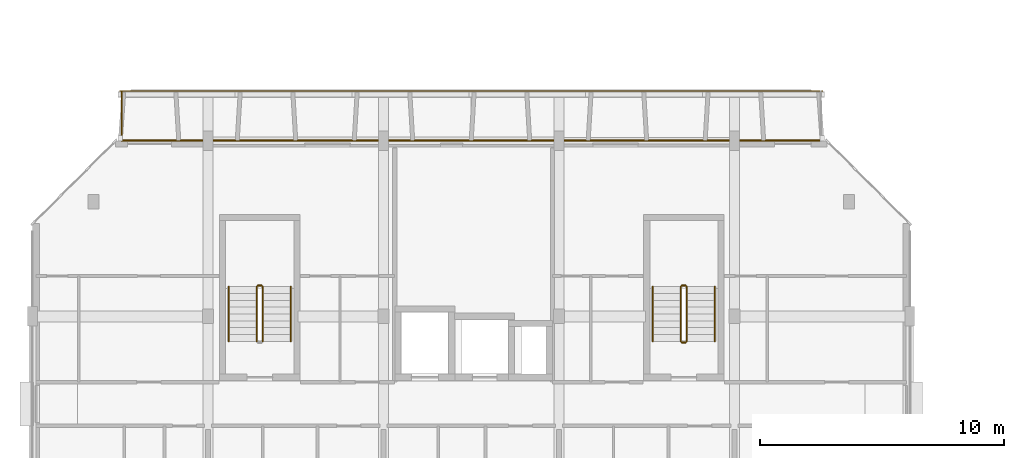
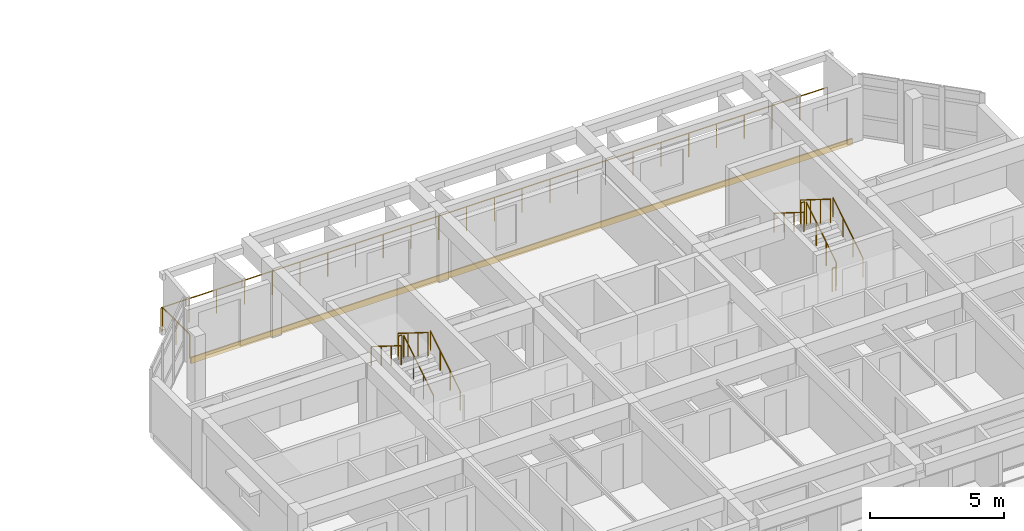
# One storey, part 38 of 46: 13 railings, 1 covering.
"""IFC4 building model written with IfcOpenShell, lengths in metres."""

from ifc_helpers import new_model, si_unit, direction, frame, origin, origin_2d, place, context, subcontext, project, spatial, rectangle, circle, extrude, material, layer, layer_set, type_object, element, save


model = new_model("IFC4")

# Units and contexts
model_context = context("Model", 3, precision=1e-05, world=origin(), true_north=direction((0.0, 1.0)))
body_context = subcontext(model_context, "Body", "Model", "MODEL_VIEW")
ifc_project = project(units=[si_unit("LENGTHUNIT", "METRE"), si_unit("AREAUNIT", "SQUARE_METRE"), si_unit("VOLUMEUNIT", "CUBIC_METRE"), si_unit("PLANEANGLEUNIT", "RADIAN"), si_unit("MASSUNIT", "GRAM", prefix="KILO")], contexts=[model_context])

# Site, building, storey
site_placement = place(None, origin())
site = spatial("IfcSite", under=ifc_project, at=site_placement, CompositionType="ELEMENT")
building_placement = place(site_placement, origin())
building = spatial("IfcBuilding", under=site, at=building_placement, Name="Ochrevale Crest", CompositionType="ELEMENT")
storey_placement = place(building_placement, frame((0.0, 0.0, 24.449951171875)))
storey = spatial("IfcBuildingStorey", under=building, at=storey_placement, Name="L07", CompositionType="ELEMENT", Elevation=24.449951171875)

# Covering
ifc_material_1 = material(Name="Glazed terracotta rainscreen tile", Category="masonry")
ifc_layer = layer(ifc_material_1, 0.048095703125)
ifc_layer_set = layer_set([ifc_layer], Name="Glazed terracotta rainscreen tile")
covering_type = type_object("IfcCoveringType", Name="COV-CLAD-TER", PredefinedType="CLADDING", material=ifc_layer_set)
covering_placement = place(storey_placement, frame((18.0, 36.012451171875, -0.259765625), z_axis=(0.0, 0.0, 1.0), x_axis=(-1.0, 0.0, 0.0)))
element("IfcCovering", 1, at=covering_placement, inside=storey, type_object=covering_type, Name="Block A L07 terracotta slab-edge spandrel cladding", PredefinedType="CLADDING", context=body_context, shape_type="SweptSolid", body=[
    extrude(rectangle(XDim=28.60009765625, YDim=0.06005859375, at=origin_2d()), origin(), (0.0, 0.0, 1.0), 0.280029296875),
])

# Railings
ifc_material_2 = material(Name="Galvanised steel", Category="steel")
railing_type_1 = type_object("IfcRailingType", Name="RL-BAL-1100", PredefinedType="BALUSTRADE", material=ifc_material_2)
railing_1_placement = place(storey_placement, frame((3.60009765625, 38.0400390625, 0.0)))
element("IfcRailing", 2, at=railing_1_placement, inside=storey, type_object=railing_type_1, Name="Block A L07 N balcony front balustrade", PredefinedType="BALUSTRADE", context=body_context, shape_type="SweptSolid", body=[
    extrude(circle(Radius=0.02392578125, at=origin_2d()), frame((0.0, 0.0, 1.0859375), z_axis=(1.0, 0.0, 0.0), x_axis=(0.0, 1.0, 0.0)), (0.0, 0.0, 1.0), 28.7998046875),
    extrude(circle(Radius=0.02099609375, at=origin_2d()), origin(), (0.0, 0.0, 1.0), 1.06201171875),
    extrude(circle(Radius=0.02099609375, at=origin_2d()), frame((1.199951171875, 0.0, 0.0)), (0.0, 0.0, 1.0), 1.06201171875),
    extrude(circle(Radius=0.02099609375, at=origin_2d()), frame((2.39990234375, 0.0, 0.0)), (0.0, 0.0, 1.0), 1.06201171875),
    extrude(circle(Radius=0.02099609375, at=origin_2d()), frame((3.60009765625, 0.0, 0.0)), (0.0, 0.0, 1.0), 1.06201171875),
    extrude(circle(Radius=0.02099609375, at=origin_2d()), frame((4.800048828125, 0.0, 0.0)), (0.0, 0.0, 1.0), 1.06201171875),
    extrude(circle(Radius=0.02099609375, at=origin_2d()), frame((6.0, 0.0, 0.0)), (0.0, 0.0, 1.0), 1.06201171875),
    extrude(circle(Radius=0.02099609375, at=origin_2d()), frame((7.199951171875, 0.0, 0.0)), (0.0, 0.0, 1.0), 1.06201171875),
    extrude(circle(Radius=0.02099609375, at=origin_2d()), frame((8.39990234375, 0.0, 0.0)), (0.0, 0.0, 1.0), 1.06201171875),
    extrude(circle(Radius=0.02099609375, at=origin_2d()), frame((9.599853515625, 0.0, 0.0)), (0.0, 0.0, 1.0), 1.06201171875),
    extrude(circle(Radius=0.02099609375, at=origin_2d()), frame((10.7998046875, 0.0, 0.0)), (0.0, 0.0, 1.0), 1.06201171875),
    extrude(circle(Radius=0.02099609375, at=origin_2d()), frame((12.0, 0.0, 0.0)), (0.0, 0.0, 1.0), 1.06201171875),
    extrude(circle(Radius=0.02099609375, at=origin_2d()), frame((13.199951171875, 0.0, 0.0)), (0.0, 0.0, 1.0), 1.06201171875),
    extrude(circle(Radius=0.02099609375, at=origin_2d()), frame((14.39990234375, 0.0, 0.0)), (0.0, 0.0, 1.0), 1.06201171875),
    extrude(circle(Radius=0.02099609375, at=origin_2d()), frame((15.599853515625, 0.0, 0.0)), (0.0, 0.0, 1.0), 1.06201171875),
    extrude(circle(Radius=0.02099609375, at=origin_2d()), frame((16.7998046875, 0.0, 0.0)), (0.0, 0.0, 1.0), 1.06201171875),
    extrude(circle(Radius=0.02099609375, at=origin_2d()), frame((18.0, 0.0, 0.0)), (0.0, 0.0, 1.0), 1.06201171875),
    extrude(circle(Radius=0.02099609375, at=origin_2d()), frame((19.199951171875, 0.0, 0.0)), (0.0, 0.0, 1.0), 1.06201171875),
    extrude(circle(Radius=0.02099609375, at=origin_2d()), frame((20.39990234375, 0.0, 0.0)), (0.0, 0.0, 1.0), 1.06201171875),
    extrude(circle(Radius=0.02099609375, at=origin_2d()), frame((21.599853515625, 0.0, 0.0)), (0.0, 0.0, 1.0), 1.06201171875),
    extrude(circle(Radius=0.02099609375, at=origin_2d()), frame((22.7998046875, 0.0, 0.0)), (0.0, 0.0, 1.0), 1.06201171875),
    extrude(circle(Radius=0.02099609375, at=origin_2d()), frame((23.999755859375, 0.0, 0.0)), (0.0, 0.0, 1.0), 1.06201171875),
    extrude(circle(Radius=0.02099609375, at=origin_2d()), frame((25.19970703125, 0.0, 0.0)), (0.0, 0.0, 1.0), 1.06201171875),
    extrude(circle(Radius=0.02099609375, at=origin_2d()), frame((26.39990234375, 0.0, 0.0)), (0.0, 0.0, 1.0), 1.06201171875),
    extrude(circle(Radius=0.02099609375, at=origin_2d()), frame((27.599853515625, 0.0, 0.0)), (0.0, 0.0, 1.0), 1.06201171875),
    extrude(circle(Radius=0.02099609375, at=origin_2d()), frame((28.7998046875, 0.0, 0.0)), (0.0, 0.0, 1.0), 1.06201171875),
])
railing_2_placement = place(storey_placement, frame((3.659912109375, 36.0, 0.0)))
element("IfcRailing", 3, at=railing_2_placement, inside=storey, type_object=railing_type_1, Name="Block A L07 N-W balcony side guard", PredefinedType="BALUSTRADE", context=body_context, shape_type="SweptSolid", body=[
    extrude(circle(Radius=0.02392578125, at=origin_2d()), frame((0.0, 0.0, 1.0859375), z_axis=(0.0, 1.0, 0.0), x_axis=(-1.0, 0.0, 0.0)), (0.0, 0.0, 1.0), 2.0400390625),
    extrude(circle(Radius=0.02099609375, at=origin_2d()), origin(), (0.0, 0.0, 1.0), 1.06201171875),
    extrude(circle(Radius=0.02099609375, at=origin_2d()), frame((0.0, 1.02001953125, 0.0)), (0.0, 0.0, 1.0), 1.06201171875),
    extrude(circle(Radius=0.02099609375, at=origin_2d()), frame((0.0, 2.0400390625, 0.0)), (0.0, 0.0, 1.0), 1.06201171875),
])
railing_type_2 = type_object("IfcRailingType", Name="RL-ST-GUARD", PredefinedType="BALUSTRADE", material=ifc_material_2)
railing_3_placement = place(storey_placement, frame((9.449951171875, 27.77490234375, 0.175048828125)))
element("IfcRailing", 4, at=railing_3_placement, inside=storey, type_object=railing_type_2, Name="L07 ST-A1 stair guard 1", PredefinedType="BALUSTRADE", context=body_context, shape_type="SweptSolid", body=[
    extrude(circle(Radius=0.02392578125, at=origin_2d()), frame((0.0, 0.0, 1.076171875), z_axis=(0.0, 0.848013881152, 0.529974015752), x_axis=(-1.0, 0.0, 0.0)), (0.0, 0.0, 1.0), 2.641357421875),
    extrude(circle(Radius=0.02099609375, at=origin_2d()), origin(), (0.0, 0.0, 1.0), 1.052001953125),
    extrude(circle(Radius=0.02099609375, at=origin_2d()), frame((0.0, 0.74658203125, 0.466552734375)), (0.0, 0.0, 1.0), 1.052001953125),
    extrude(circle(Radius=0.02099609375, at=origin_2d()), frame((0.0, 1.493408203125, 0.933349609375)), (0.0, 0.0, 1.0), 1.052001953125),
    extrude(circle(Radius=0.02099609375, at=origin_2d()), frame((0.0, 2.239990234375, 1.39990234375)), (0.0, 0.0, 1.0), 1.052001953125),
])
railing_4_placement = place(storey_placement, frame((9.39990234375, 30.06494140625, 1.574951171875)))
element("IfcRailing", 5, at=railing_4_placement, inside=storey, type_object=railing_type_2, Name="L07 ST-A1 stair guard 2", PredefinedType="BALUSTRADE", context=body_context, shape_type="SweptSolid", body=[
    extrude(circle(Radius=0.02392578125, at=origin_2d()), frame((0.0, 0.0, 1.076171875), z_axis=(-1.0, 0.0, 0.0), x_axis=(0.0, -1.0, 0.0)), (0.0, 0.0, 1.0), 0.14990234375),
    extrude(circle(Radius=0.02099609375, at=origin_2d()), origin(), (0.0, 0.0, 1.0), 1.052001953125),
    extrude(circle(Radius=0.02099609375, at=origin_2d()), frame((-0.14990234375, 0.0, 0.0)), (0.0, 0.0, 1.0), 1.052001953125),
])
railing_5_placement = place(storey_placement, frame((9.199951171875, 30.014892578125, 1.75)))
element("IfcRailing", 6, at=railing_5_placement, inside=storey, type_object=railing_type_2, Name="L07 ST-A1 stair guard 3", PredefinedType="BALUSTRADE", context=body_context, shape_type="SweptSolid", body=[
    extrude(circle(Radius=0.02392578125, at=origin_2d()), frame((0.0, 0.0, 1.076171875), z_axis=(0.0, -0.847972341737, 0.530040477369), x_axis=(1.0, 0.0, 0.0)), (0.0, 0.0, 1.0), 2.6416015625),
    extrude(circle(Radius=0.02099609375, at=origin_2d()), origin(), (0.0, 0.0, 1.0), 1.052001953125),
    extrude(circle(Radius=0.02099609375, at=origin_2d()), frame((0.0, -0.74658203125, 0.466796875)), (0.0, 0.0, 1.0), 1.052001953125),
    extrude(circle(Radius=0.02099609375, at=origin_2d()), frame((0.0, -1.493408203125, 0.933349609375)), (0.0, 0.0, 1.0), 1.052001953125),
    extrude(circle(Radius=0.02099609375, at=origin_2d()), frame((0.0, -2.239990234375, 1.400146484375)), (0.0, 0.0, 1.0), 1.052001953125),
])
railing_6_placement = place(storey_placement, frame((26.85009765625, 27.77490234375, 0.175048828125)))
element("IfcRailing", 7, at=railing_6_placement, inside=storey, type_object=railing_type_2, Name="L07 ST-A2 stair guard 1", PredefinedType="BALUSTRADE", context=body_context, shape_type="SweptSolid", body=[
    extrude(circle(Radius=0.02392578125, at=origin_2d()), frame((0.0, 0.0, 1.076171875), z_axis=(0.0, 0.848013881152, 0.529974015752), x_axis=(-1.0, 0.0, 0.0)), (0.0, 0.0, 1.0), 2.641357421875),
    extrude(circle(Radius=0.02099609375, at=origin_2d()), origin(), (0.0, 0.0, 1.0), 1.052001953125),
    extrude(circle(Radius=0.02099609375, at=origin_2d()), frame((0.0, 0.74658203125, 0.466552734375)), (0.0, 0.0, 1.0), 1.052001953125),
    extrude(circle(Radius=0.02099609375, at=origin_2d()), frame((0.0, 1.493408203125, 0.933349609375)), (0.0, 0.0, 1.0), 1.052001953125),
    extrude(circle(Radius=0.02099609375, at=origin_2d()), frame((0.0, 2.239990234375, 1.39990234375)), (0.0, 0.0, 1.0), 1.052001953125),
])
railing_7_placement = place(storey_placement, frame((26.800048828125, 30.06494140625, 1.574951171875)))
element("IfcRailing", 8, at=railing_7_placement, inside=storey, type_object=railing_type_2, Name="L07 ST-A2 stair guard 2", PredefinedType="BALUSTRADE", context=body_context, shape_type="SweptSolid", body=[
    extrude(circle(Radius=0.02392578125, at=origin_2d()), frame((0.0, 0.0, 1.076171875), z_axis=(-1.0, 0.0, 0.0), x_axis=(0.0, -1.0, 0.0)), (0.0, 0.0, 1.0), 0.150146484375),
    extrude(circle(Radius=0.02099609375, at=origin_2d()), origin(), (0.0, 0.0, 1.0), 1.052001953125),
    extrude(circle(Radius=0.02099609375, at=origin_2d()), frame((-0.150146484375, 0.0, 0.0)), (0.0, 0.0, 1.0), 1.052001953125),
])
railing_8_placement = place(storey_placement, frame((26.60009765625, 30.014892578125, 1.75)))
element("IfcRailing", 9, at=railing_8_placement, inside=storey, type_object=railing_type_2, Name="L07 ST-A2 stair guard 3", PredefinedType="BALUSTRADE", context=body_context, shape_type="SweptSolid", body=[
    extrude(circle(Radius=0.02392578125, at=origin_2d()), frame((0.0, 0.0, 1.076171875), z_axis=(0.0, -0.847972341737, 0.530040477369), x_axis=(1.0, 0.0, 0.0)), (0.0, 0.0, 1.0), 2.6416015625),
    extrude(circle(Radius=0.02099609375, at=origin_2d()), origin(), (0.0, 0.0, 1.0), 1.052001953125),
    extrude(circle(Radius=0.02099609375, at=origin_2d()), frame((0.0, -0.74658203125, 0.466796875)), (0.0, 0.0, 1.0), 1.052001953125),
    extrude(circle(Radius=0.02099609375, at=origin_2d()), frame((0.0, -1.493408203125, 0.933349609375)), (0.0, 0.0, 1.0), 1.052001953125),
    extrude(circle(Radius=0.02099609375, at=origin_2d()), frame((0.0, -2.239990234375, 1.400146484375)), (0.0, 0.0, 1.0), 1.052001953125),
])
railing_9_placement = place(storey_placement, frame((26.800048828125, 27.72509765625, 0.0)))
element("IfcRailing", 10, at=railing_9_placement, inside=storey, type_object=railing_type_2, Name="L07 ST-A2 stair guard 4", PredefinedType="BALUSTRADE", context=body_context, shape_type="SweptSolid", body=[
    extrude(circle(Radius=0.02392578125, at=origin_2d()), frame((0.0, 0.0, 1.076171875), z_axis=(-1.0, 0.0, 0.0), x_axis=(0.0, -1.0, 0.0)), (0.0, 0.0, 1.0), 0.150146484375),
    extrude(circle(Radius=0.02099609375, at=origin_2d()), origin(), (0.0, 0.0, 1.0), 1.052001953125),
    extrude(circle(Radius=0.02099609375, at=origin_2d()), frame((-0.150146484375, 0.0, 0.0)), (0.0, 0.0, 1.0), 1.052001953125),
])
ifc_material_3 = material(Name="Stainless steel", Category="steel")
railing_type_3 = type_object("IfcRailingType", Name="RL-ST-HRAIL", PredefinedType="HANDRAIL", material=ifc_material_3)
railing_10_placement = place(storey_placement, frame((10.60009765625, 27.77490234375, 0.175048828125)))
element("IfcRailing", 11, at=railing_10_placement, inside=storey, type_object=railing_type_3, Name="L07 ST-A1 stair handrail 1", PredefinedType="HANDRAIL", context=body_context, shape_type="SweptSolid", body=[
    extrude(circle(Radius=0.02392578125, at=origin_2d()), frame((0.0, 0.0, 0.8759765625), z_axis=(0.0, 0.848013881152, 0.529974015752), x_axis=(-1.0, 0.0, 0.0)), (0.0, 0.0, 1.0), 2.641357421875),
    extrude(circle(Radius=0.02099609375, at=origin_2d()), origin(), (0.0, 0.0, 1.0), 0.851806640625),
    extrude(circle(Radius=0.02099609375, at=origin_2d()), frame((0.0, 0.74658203125, 0.466552734375)), (0.0, 0.0, 1.0), 0.851806640625),
    extrude(circle(Radius=0.02099609375, at=origin_2d()), frame((0.0, 1.493408203125, 0.933349609375)), (0.0, 0.0, 1.0), 0.851806640625),
    extrude(circle(Radius=0.02099609375, at=origin_2d()), frame((0.0, 2.239990234375, 1.39990234375)), (0.0, 0.0, 1.0), 0.851806640625),
])
railing_11_placement = place(storey_placement, frame((8.050048828125, 30.014892578125, 1.75)))
element("IfcRailing", 12, at=railing_11_placement, inside=storey, type_object=railing_type_3, Name="L07 ST-A1 stair handrail 2", PredefinedType="HANDRAIL", context=body_context, shape_type="SweptSolid", body=[
    extrude(circle(Radius=0.02392578125, at=origin_2d()), frame((0.0, 0.0, 0.8759765625), z_axis=(0.0, -0.847972341737, 0.530040477369), x_axis=(1.0, 0.0, 0.0)), (0.0, 0.0, 1.0), 2.6416015625),
    extrude(circle(Radius=0.02099609375, at=origin_2d()), origin(), (0.0, 0.0, 1.0), 0.851806640625),
    extrude(circle(Radius=0.02099609375, at=origin_2d()), frame((0.0, -0.74658203125, 0.466796875)), (0.0, 0.0, 1.0), 0.851806640625),
    extrude(circle(Radius=0.02099609375, at=origin_2d()), frame((0.0, -1.493408203125, 0.933349609375)), (0.0, 0.0, 1.0), 0.851806640625),
    extrude(circle(Radius=0.02099609375, at=origin_2d()), frame((0.0, -2.239990234375, 1.400146484375)), (0.0, 0.0, 1.0), 0.851806640625),
])
railing_12_placement = place(storey_placement, frame((28.0, 27.77490234375, 0.175048828125)))
element("IfcRailing", 13, at=railing_12_placement, inside=storey, type_object=railing_type_3, Name="L07 ST-A2 stair handrail 1", PredefinedType="HANDRAIL", context=body_context, shape_type="SweptSolid", body=[
    extrude(circle(Radius=0.02392578125, at=origin_2d()), frame((0.0, 0.0, 0.8759765625), z_axis=(0.0, 0.848013881152, 0.529974015752), x_axis=(-1.0, 0.0, 0.0)), (0.0, 0.0, 1.0), 2.641357421875),
    extrude(circle(Radius=0.02099609375, at=origin_2d()), origin(), (0.0, 0.0, 1.0), 0.851806640625),
    extrude(circle(Radius=0.02099609375, at=origin_2d()), frame((0.0, 0.74658203125, 0.466552734375)), (0.0, 0.0, 1.0), 0.851806640625),
    extrude(circle(Radius=0.02099609375, at=origin_2d()), frame((0.0, 1.493408203125, 0.933349609375)), (0.0, 0.0, 1.0), 0.851806640625),
    extrude(circle(Radius=0.02099609375, at=origin_2d()), frame((0.0, 2.239990234375, 1.39990234375)), (0.0, 0.0, 1.0), 0.851806640625),
])
railing_13_placement = place(storey_placement, frame((25.449951171875, 30.014892578125, 1.75)))
element("IfcRailing", 14, at=railing_13_placement, inside=storey, type_object=railing_type_3, Name="L07 ST-A2 stair handrail 2", PredefinedType="HANDRAIL", context=body_context, shape_type="SweptSolid", body=[
    extrude(circle(Radius=0.02392578125, at=origin_2d()), frame((0.0, 0.0, 0.8759765625), z_axis=(0.0, -0.847972341737, 0.530040477369), x_axis=(1.0, 0.0, 0.0)), (0.0, 0.0, 1.0), 2.6416015625),
    extrude(circle(Radius=0.02099609375, at=origin_2d()), origin(), (0.0, 0.0, 1.0), 0.851806640625),
    extrude(circle(Radius=0.02099609375, at=origin_2d()), frame((0.0, -0.74658203125, 0.466796875)), (0.0, 0.0, 1.0), 0.851806640625),
    extrude(circle(Radius=0.02099609375, at=origin_2d()), frame((0.0, -1.493408203125, 0.933349609375)), (0.0, 0.0, 1.0), 0.851806640625),
    extrude(circle(Radius=0.02099609375, at=origin_2d()), frame((0.0, -2.239990234375, 1.400146484375)), (0.0, 0.0, 1.0), 0.851806640625),
])

save(model, "model.ifc")
